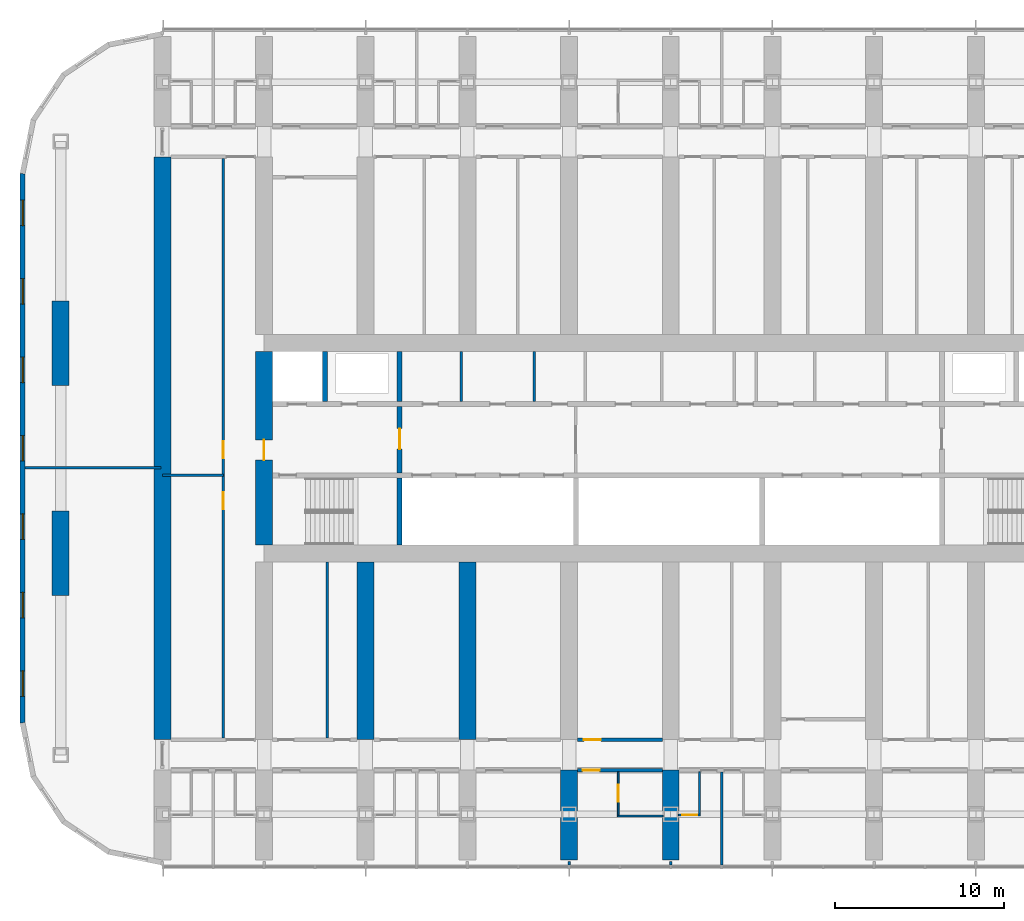
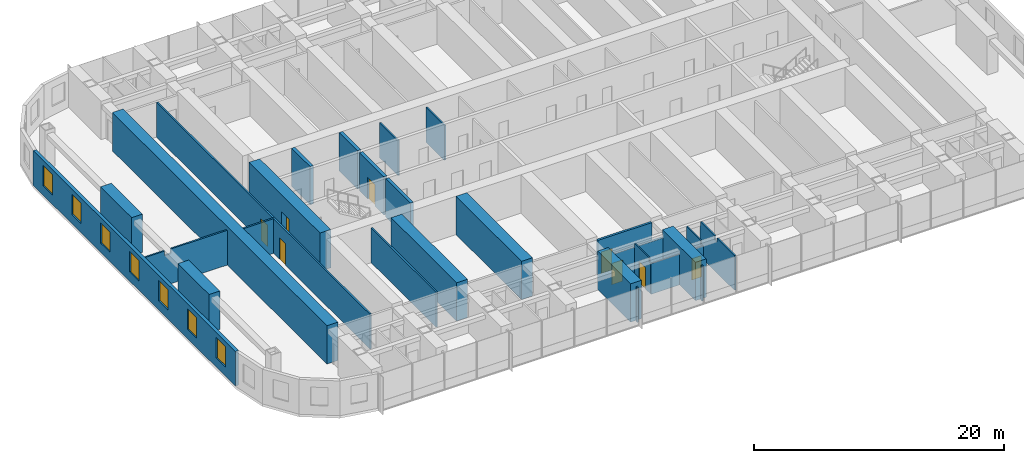
# One storey, part 11 of 23: 28 walls, 8 doors, 7 windows, 15 openings.
"""IFC4 building model written with IfcOpenShell, lengths in metres."""

from ifc_helpers import new_model, si_unit, direction, frame, frame_2d, origin, place, context, subcontext, project, spatial, polyline, rectangle, outline, extrude, material, layer, layer_set, type_object, element, fill, save


model = new_model("IFC4")

# Units and contexts
model_context = context("Model", 3, precision=1e-05, world=origin(), true_north=direction((0.0, 1.0)))
body_context = subcontext(model_context, "Body", "Model", "MODEL_VIEW")
ifc_project = project(units=[si_unit("LENGTHUNIT", "METRE"), si_unit("AREAUNIT", "SQUARE_METRE"), si_unit("VOLUMEUNIT", "CUBIC_METRE"), si_unit("PLANEANGLEUNIT", "RADIAN"), si_unit("MASSUNIT", "GRAM", prefix="KILO")], contexts=[model_context])

# Site, building, storey
site_placement = place(None, origin())
site = spatial("IfcSite", under=ifc_project, at=site_placement, CompositionType="ELEMENT")
building_placement = place(site_placement, origin())
building = spatial("IfcBuilding", under=site, at=building_placement, Name="Orbita Commons", CompositionType="ELEMENT")
storey_placement = place(building_placement, frame((0.0, 0.0, 65.199951171875)))
storey = spatial("IfcBuildingStorey", under=building, at=storey_placement, Name="L16", CompositionType="ELEMENT", Elevation=65.199951171875)

# Wall
ifc_material_1 = material(Name="Concrete C50/60", Category="concrete")
ifc_layer_1 = layer(ifc_material_1, 0.300048828125)
ifc_layer_set_1 = layer_set([ifc_layer_1], Name="Concrete C50/60")
wall_type_1 = type_object("IfcWallType", Name="Core inner wall 300 C50/60", PredefinedType="SHEAR", material=ifc_layer_set_1)
wall_1_placement = place(storey_placement, frame((26.0, 26.300048828125, 0.0), z_axis=(0.0, 0.0, 1.0), x_axis=(0.0, 1.0, 0.0)))
element("IfcWall", 1, at=wall_1_placement, inside=storey, type_object=wall_type_1, Name="Stair S1 wall L16", PredefinedType="SHEAR", context=body_context, shape_type="SweptSolid", body=[
    extrude(rectangle(XDim=3.949951171875, YDim=0.300048828125, at=frame_2d((1.97509765625, 0.0))), origin(), (0.0, 0.0, 1.0), 3.75),
])

# Wall, opening, door
wall_2_placement = place(storey_placement, frame((26.0, 30.550048828125, 0.0), z_axis=(0.0, 0.0, 1.0), x_axis=(0.0, 1.0, 0.0)))
wall_2 = element("IfcWall", 2, at=wall_2_placement, inside=storey, type_object=wall_type_1, Name="Firefighting lobby wall west L16", PredefinedType="SHEAR", context=body_context, shape_type="SweptSolid", body=[
    extrude(rectangle(XDim=3.89990234375, YDim=0.300048828125, at=frame_2d((1.949951171875, 0.0))), origin(), (0.0, 0.0, 1.0), 3.75),
])
opening_1_placement = place(wall_2_placement, frame((1.39990234375, 0.0, 0.0)))
opening_1 = element("IfcOpeningElement", 3, at=opening_1_placement, cuts=wall_2, Name="Opening D04", PredefinedType="OPENING", context=body_context, shape_type="SweptSolid", body=[
    extrude(rectangle(XDim=1.199951171875, YDim=2.10009765625, at=frame_2d((0.60009765625, 1.050048828125))), frame((0.0, 0.159912109375, 0.0), z_axis=(0.0, -1.0, 0.0), x_axis=(1.0, 0.0, 0.0)), (0.0, 0.0, 1.0), 0.320068359375),
])
ifc_material_2 = material(Name="Steel-faced fire door leaf", Category="steel")
door_type_1 = type_object("IfcDoorType", Name="Service door 20 min 1200x2100", OperationType="SINGLE_SWING_LEFT", PredefinedType="DOOR", material=ifc_material_2)
door_1_placement = place(opening_1_placement, origin())
door_1 = element("IfcDoor", 4, at=door_1_placement, inside=storey, type_object=door_type_1, Name="Lift lobby door west", OperationType="SINGLE_SWING_LEFT", OverallHeight=2.10009765625, OverallWidth=1.199951171875, PredefinedType="DOOR", context=body_context, shape_type="SweptSolid", body=[
    extrude(rectangle(XDim=1.199951171875, YDim=2.10009765625, at=frame_2d((0.60009765625, 1.050048828125))), frame((0.0, 0.02490234375, 0.0), z_axis=(0.0, -1.0, 0.0), x_axis=(1.0, 0.0, 0.0)), (0.0, 0.0, 1.0), 0.050048828125),
])
fill(opening_1, door_1)

# Walls
for number, where, z_axis, x_axis, name in (
    (5, (21.60009765625, 34.75, 0.0), (0.0, 0.0, 1.0), (0.0, 1.0, 0.0), "Firefighting lift FL1 shaft wall L16"),
    (6, (26.0, 34.75, 0.0), (0.0, 0.0, 1.0), (0.0, 1.0, 0.0), "Riser wall west L16"),
):
    element("IfcWall", number, at=place(storey_placement, frame(where, z_axis=z_axis, x_axis=x_axis)), inside=storey, type_object=wall_type_1, Name=name, PredefinedType="SHEAR", context=body_context, shape_type="SweptSolid", body=[
        extrude(rectangle(XDim=2.949951171875, YDim=0.300048828125, at=frame_2d((1.47509765625, 0.0))), origin(), (0.0, 0.0, 1.0), 3.75),
    ])
ifc_material_3 = material(Name="Concrete blockwork", Category="masonry")
ifc_layer_2 = layer(ifc_material_3, 0.14990234375)
ifc_layer_set_2 = layer_set([ifc_layer_2], Name="Concrete blockwork")
wall_type_2 = type_object("IfcWallType", Name="Core partition 150 blockwork", PredefinedType="SOLIDWALL", material=ifc_layer_set_2)
for number, where, z_axis, x_axis, name in (
    (7, (29.65087890625, 34.75, 0.0), (0.0, 0.0, 1.0), (0.0, 1.0, 0.0), "Core partition 150 blockwork L16"),
    (8, (33.9462890625, 34.75, 0.0), (0.0, 0.0, 1.0), (0.0, 1.0, 0.0), "Core partition 150 blockwork L16"),
):
    element("IfcWall", number, at=place(storey_placement, frame(where, z_axis=z_axis, x_axis=x_axis)), inside=storey, type_object=wall_type_2, Name=name, PredefinedType="SOLIDWALL", context=body_context, shape_type="SweptSolid", body=[
        extrude(rectangle(XDim=2.949951171875, YDim=0.14990234375, at=frame_2d((1.47509765625, 0.0))), origin(), (0.0, 0.0, 1.0), 3.400146484375),
    ])

# Wall, opening, door
ifc_material_4 = material(Name="Concrete C50/60", Category="concrete")
ifc_layer_3 = layer(ifc_material_4, 1.0)
ifc_layer_set_3 = layer_set([ifc_layer_3], Name="Concrete C50/60")
wall_type_3 = type_object("IfcWallType", Name="Core wall 1000 C50/60", PredefinedType="SHEAR", material=ifc_layer_set_3)
wall_3_placement = place(storey_placement, frame((18.0, 26.300048828125, 0.0), z_axis=(0.0, 0.0, 1.0), x_axis=(0.0, 1.0, 0.0)))
wall_3 = element("IfcWall", 9, at=wall_3_placement, inside=storey, type_object=wall_type_3, Name="Core end wall west L16", PredefinedType="SHEAR", context=body_context, shape_type="SweptSolid", body=[
    extrude(rectangle(XDim=11.39990234375, YDim=1.0, at=frame_2d((5.699951171875, 0.0))), origin(), (0.0, 0.0, 1.0), 3.75),
])
opening_2_placement = place(wall_3_placement, frame((5.0, 0.0, 0.0)))
opening_2 = element("IfcOpeningElement", 10, at=opening_2_placement, cuts=wall_3, Name="Opening D01", PredefinedType="OPENING", context=body_context, shape_type="SweptSolid", body=[
    extrude(rectangle(XDim=1.199951171875, YDim=2.10009765625, at=frame_2d((0.60009765625, 1.050048828125))), frame((0.0, 0.510009765625, 0.0), z_axis=(0.0, -1.0, 0.0), x_axis=(1.0, 0.0, 0.0)), (0.0, 0.0, 1.0), 1.02001953125),
])
ifc_material_5 = material(Name="Steel-faced fire door leaf", Category="steel")
door_type_2 = type_object("IfcDoorType", Name="Fire door 90 min 1200x2100", OperationType="SINGLE_SWING_LEFT", PredefinedType="DOOR", material=ifc_material_5)
door_2_placement = place(opening_2_placement, origin())
door_2 = element("IfcDoor", 11, at=door_2_placement, inside=storey, type_object=door_type_2, Name="Firefighting lobby west door", OperationType="SINGLE_SWING_LEFT", OverallHeight=2.10009765625, OverallWidth=1.199951171875, PredefinedType="DOOR", context=body_context, shape_type="SweptSolid", body=[
    extrude(rectangle(XDim=1.199951171875, YDim=2.10009765625, at=frame_2d((0.60009765625, 1.050048828125))), frame((0.0, 0.02490234375, 0.0), z_axis=(0.0, -1.0, 0.0), x_axis=(1.0, 0.0, 0.0)), (0.0, 0.0, 1.0), 0.050048828125),
])
fill(opening_2, door_2)

ifc_material_6 = material(Name="Concrete blockwork", Category="masonry")
ifc_layer_4 = layer(ifc_material_6, 0.199951171875)
ifc_layer_set_4 = layer_set([ifc_layer_4], Name="Concrete blockwork")
wall_type_4 = type_object("IfcWallType", Name="Corridor wall 200 blockwork", PredefinedType="SOLIDWALL", material=ifc_layer_set_4)
wall_4_placement = place(storey_placement, frame((36.5, 13.0, 0.0), z_axis=(0.0, 0.0, 1.0), x_axis=(1.0, 0.0, 0.0)))
wall_4 = element("IfcWall", 12, at=wall_4_placement, inside=storey, type_object=wall_type_4, Name="Corridor wall 200 blockwork L16", PredefinedType="SOLIDWALL", context=body_context, shape_type="SweptSolid", body=[
    extrude(outline(polyline([(0.0, 0.0), (5.0, 0.0), (5.0, 3.0), (0.0, 3.0), (0.0, 0.0)])), frame((0.0, 0.10009765625, 0.0), z_axis=(0.0, -1.0, 0.0), x_axis=(1.0, 0.0, 0.0)), (0.0, 0.0, 1.0), 0.199951171875),
])
opening_3_placement = place(wall_4_placement, frame((0.300048828125, 0.0, 0.0)))
opening_3 = element("IfcOpeningElement", 13, at=opening_3_placement, cuts=wall_4, Name="Opening D06", PredefinedType="OPENING", context=body_context, shape_type="SweptSolid", body=[
    extrude(rectangle(XDim=1.0, YDim=2.10009765625, at=frame_2d((0.5, 1.050048828125))), frame((0.0, 0.10986328125, 0.0), z_axis=(0.0, -1.0, 0.0), x_axis=(1.0, 0.0, 0.0)), (0.0, 0.0, 1.0), 0.219970703125),
])
ifc_material_7 = material(Name="Steel-faced fire door leaf", Category="steel")
door_type_3 = type_object("IfcDoorType", Name="Corridor door 20 min 1000x2100", OperationType="SINGLE_SWING_LEFT", PredefinedType="DOOR", material=ifc_material_7)
door_3_placement = place(opening_3_placement, origin())
door_3 = element("IfcDoor", 14, at=door_3_placement, inside=storey, type_object=door_type_3, Name="Accessible bedroom L16-S08 door", OperationType="SINGLE_SWING_LEFT", OverallHeight=2.10009765625, OverallWidth=1.0, PredefinedType="DOOR", context=body_context, shape_type="SweptSolid", body=[
    extrude(rectangle(XDim=1.0, YDim=2.10009765625, at=frame_2d((0.5, 1.050048828125))), frame((0.0, 0.02490234375, 0.0), z_axis=(0.0, -1.0, 0.0), x_axis=(1.0, 0.0, 0.0)), (0.0, 0.0, 1.0), 0.050048828125),
])
fill(opening_3, door_3)

ifc_material_8 = material(Name="Hollow concrete block 200", Category="concrete")
ifc_layer_5 = layer(ifc_material_8, 0.199951171875)
ifc_layer_set_5 = layer_set([ifc_layer_5], Name="Hollow concrete block 200")
wall_type_5 = type_object("IfcWallType", Name="Corridor wall 200 hollow concrete block", PredefinedType="SOLIDWALL", material=ifc_layer_set_5)
wall_5_placement = place(storey_placement, frame((36.5, 14.800048828125, 0.0), z_axis=(0.0, 0.0, 1.0), x_axis=(1.0, 0.0, 0.0)))
wall_5 = element("IfcWall", 15, at=wall_5_placement, inside=storey, type_object=wall_type_5, Name="Corridor wall 200 hollow concrete block L16", PredefinedType="SOLIDWALL", context=body_context, shape_type="SweptSolid", body=[
    extrude(rectangle(XDim=5.0, YDim=0.199951171875, at=frame_2d((2.5, 0.0))), origin(), (0.0, 0.0, 1.0), 3.400146484375),
])
opening_4_placement = place(wall_5_placement, frame((0.375, 0.0, 0.0)))
opening_4 = element("IfcOpeningElement", 16, at=opening_4_placement, cuts=wall_5, Name="Opening D06", PredefinedType="OPENING", context=body_context, shape_type="SweptSolid", body=[
    extrude(rectangle(XDim=1.0, YDim=2.10009765625, at=frame_2d((0.5, 1.050048828125))), frame((0.0, 0.10986328125, 0.0), z_axis=(0.0, -1.0, 0.0), x_axis=(1.0, 0.0, 0.0)), (0.0, 0.0, 1.0), 0.219970703125),
])
door_4_placement = place(opening_4_placement, origin())
door_4 = element("IfcDoor", 17, at=door_4_placement, inside=storey, type_object=door_type_3, Name="Parcel and post room L16-BDS36 door", OperationType="SINGLE_SWING_LEFT", OverallHeight=2.10009765625, OverallWidth=1.0, PredefinedType="DOOR", context=body_context, shape_type="SweptSolid", body=[
    extrude(rectangle(XDim=1.0, YDim=2.10009765625, at=frame_2d((0.5, 1.050048828125))), frame((0.0, 0.02490234375, 0.0), z_axis=(0.0, -1.0, 0.0), x_axis=(1.0, 0.0, 0.0)), (0.0, 0.0, 1.0), 0.050048828125),
])
fill(opening_4, door_4)

# Walls
ifc_material_9 = material(Name="Concrete C50/60", Category="concrete")
ifc_layer_6 = layer(ifc_material_9, 1.0)
ifc_layer_set_6 = layer_set([ifc_layer_6], Name="Concrete C50/60")
wall_type_6 = type_object("IfcWallType", Name="Cross wall 1000 C50/60", PredefinedType="SHEAR", material=ifc_layer_set_6)
wall_6_placement = place(storey_placement, frame((12.0, 14.800048828125, 0.0), z_axis=(0.0, 0.0, 1.0), x_axis=(0.0, 1.0, 0.0)))
element("IfcWall", 18, at=wall_6_placement, inside=storey, type_object=wall_type_6, Name="Cross wall 3 inner L16", PredefinedType="SHEAR", context=body_context, shape_type="SweptSolid", body=[
    extrude(rectangle(XDim=34.39990234375, YDim=1.0, at=frame_2d((17.199951171875, 0.0))), origin(), (0.0, 0.0, 1.0), 3.75),
])
for number, where, z_axis, x_axis, name in (
    (19, (24.0, 14.800048828125, 0.0), (0.0, 0.0, 1.0), (0.0, 1.0, 0.0), "Cross wall 5 south inner L16"),
    (20, (30.0, 14.800048828125, 0.0), (0.0, 0.0, 1.0), (0.0, 1.0, 0.0), "Cross wall 6 south inner L16"),
):
    element("IfcWall", number, at=place(storey_placement, frame(where, z_axis=z_axis, x_axis=x_axis)), inside=storey, type_object=wall_type_6, Name=name, PredefinedType="SHEAR", context=body_context, shape_type="SweptSolid", body=[
        extrude(rectangle(XDim=10.5, YDim=1.0, at=frame_2d((5.25, 0.0))), origin(), (0.0, 0.0, 1.0), 3.75),
    ])
for number, where, z_axis, x_axis, name in (
    (21, (36.0, 7.699951171875, 0.0), (0.0, 0.0, 1.0), (0.0, 1.0, 0.0), "Cross wall 7 south outer L16"),
    (22, (42.0, 7.699951171875, 0.0), (0.0, 0.0, 1.0), (0.0, 1.0, 0.0), "Cross wall 8 south outer L16"),
):
    element("IfcWall", number, at=place(storey_placement, frame(where, z_axis=z_axis, x_axis=x_axis)), inside=storey, type_object=wall_type_6, Name=name, PredefinedType="SHEAR", context=body_context, shape_type="SweptSolid", body=[
        extrude(rectangle(XDim=5.300048828125, YDim=1.0, at=frame_2d((2.64990234375, 0.0))), origin(), (0.0, 0.0, 1.0), 3.75),
    ])
ifc_material_10 = material(Name="Moisture-resistant plasterboard on steel studs", Category="steel")
ifc_layer_7 = layer(ifc_material_10, 0.10009765625)
ifc_layer_set_7 = layer_set([ifc_layer_7], Name="Moisture-resistant plasterboard on steel studs")
wall_type_7 = type_object("IfcWallType", Name="En-suite partition 100", PredefinedType="PARTITIONING", material=ifc_layer_set_7)
wall_7_placement = place(storey_placement, frame((38.85009765625, 10.300048828125, 0.0), z_axis=(0.0, 0.0, 1.0), x_axis=(1.0, 0.0, 0.0)))
element("IfcWall", 23, at=wall_7_placement, inside=storey, type_object=wall_type_7, Name="En-suite partition 100 L16", PredefinedType="PARTITIONING", context=body_context, shape_type="SweptSolid", body=[
    extrude(outline(polyline([(0.0, 0.0), (2.699951171875, 0.0), (2.699951171875, 3.0), (0.0, 3.0), (0.0, 0.0)])), frame((0.0, 0.050048828125, 0.0), z_axis=(0.0, -1.0, 0.0), x_axis=(1.0, 0.0, 0.0)), (0.0, 0.0, 1.0), 0.10009765625),
])

# Wall, opening, door
wall_8_placement = place(storey_placement, frame((38.89990234375, 10.35009765625, 0.0), z_axis=(0.0, 0.0, 1.0), x_axis=(0.0, 1.0, 0.0)))
wall_8 = element("IfcWall", 24, at=wall_8_placement, inside=storey, type_object=wall_type_7, Name="En-suite partition 100 L16", PredefinedType="PARTITIONING", context=body_context, shape_type="SweptSolid", body=[
    extrude(outline(polyline([(0.0, 0.0), (2.5498046875, 0.0), (2.550048828125, 3.0), (2.501953125, 3.0), (2.5, 3.400146484375), (0.251953125, 3.400146484375), (0.25, 3.0), (0.0, 3.0), (0.0, 0.0)])), frame((0.0, 0.050048828125, 0.0), z_axis=(0.0, -1.0, 0.0), x_axis=(1.0, 0.0, 0.0)), (0.0, 0.0, 1.0), 0.10009765625),
])
opening_5_placement = place(wall_8_placement, frame((0.800048828125, 0.0, 0.0)))
opening_5 = element("IfcOpeningElement", 25, at=opening_5_placement, cuts=wall_8, Name="Opening D13", PredefinedType="OPENING", context=body_context, shape_type="SweptSolid", body=[
    extrude(rectangle(XDim=1.0, YDim=2.10009765625, at=frame_2d((0.5, 1.050048828125))), frame((0.0, 0.06005859375, 0.0), z_axis=(0.0, -1.0, 0.0), x_axis=(1.0, 0.0, 0.0)), (0.0, 0.0, 1.0), 0.1201171875),
])
ifc_material_11 = material(Name="Laminated timber door leaf", Category="wood")
door_type_4 = type_object("IfcDoorType", Name="En-suite door 1000x2100", OperationType="SINGLE_SWING_RIGHT", PredefinedType="DOOR", material=ifc_material_11)
door_5_placement = place(opening_5_placement, origin())
door_5 = element("IfcDoor", 26, at=door_5_placement, inside=storey, type_object=door_type_4, Name="Accessible shower room L16-S08 door", OperationType="SINGLE_SWING_RIGHT", OverallHeight=2.10009765625, OverallWidth=1.0, PredefinedType="DOOR", context=body_context, shape_type="SweptSolid", body=[
    extrude(rectangle(XDim=1.0, YDim=2.10009765625, at=frame_2d((0.5, 1.050048828125))), frame((0.0, 0.02490234375, 0.0), z_axis=(0.0, -1.0, 0.0), x_axis=(1.0, 0.0, 0.0)), (0.0, 0.0, 1.0), 0.050048828125),
])
fill(opening_5, door_5)

wall_9_placement = place(storey_placement, frame((43.75, 10.3583984375, 0.0), z_axis=(0.0, 0.0, 1.0), x_axis=(-1.0, 0.0, 0.0)))
wall_9 = element("IfcWall", 27, at=wall_9_placement, inside=storey, type_object=wall_type_7, Name="En-suite partition 100 L16", PredefinedType="PARTITIONING", context=body_context, shape_type="SweptSolid", body=[
    extrude(outline(polyline([(0.0, 0.0), (1.300048828125, 0.0), (1.300048828125, 3.0), (0.0, 3.0), (0.0, 0.0)])), frame((0.0, 0.050048828125, 0.0), z_axis=(0.0, -1.0, 0.0), x_axis=(1.0, 0.0, 0.0)), (0.0, 0.0, 1.0), 0.10009765625),
])
opening_6_placement = place(wall_9_placement, frame((0.175048828125, 0.0, 0.0)))
opening_6 = element("IfcOpeningElement", 28, at=opening_6_placement, cuts=wall_9, Name="Opening D09", PredefinedType="OPENING", context=body_context, shape_type="SweptSolid", body=[
    extrude(rectangle(XDim=0.89990234375, YDim=2.10009765625, at=frame_2d((0.449951171875, 1.050048828125))), frame((0.0, 0.06005859375, 0.0), z_axis=(0.0, -1.0, 0.0), x_axis=(1.0, 0.0, 0.0)), (0.0, 0.0, 1.0), 0.1201171875),
])
ifc_material_12 = material(Name="Laminated timber door leaf", Category="wood")
door_type_5 = type_object("IfcDoorType", Name="En-suite door 900x2100", OperationType="SINGLE_SWING_RIGHT", PredefinedType="DOOR", material=ifc_material_12)
door_6_placement = place(opening_6_placement, origin())
door_6 = element("IfcDoor", 29, at=door_6_placement, inside=storey, type_object=door_type_5, Name="En-suite L16-S10 door", OperationType="SINGLE_SWING_RIGHT", OverallHeight=2.10009765625, OverallWidth=0.89990234375, PredefinedType="DOOR", context=body_context, shape_type="SweptSolid", body=[
    extrude(rectangle(XDim=0.89990234375, YDim=2.10009765625, at=frame_2d((0.449951171875, 1.050048828125))), frame((0.0, 0.02490234375, 0.0), z_axis=(0.0, -1.0, 0.0), x_axis=(1.0, 0.0, 0.0)), (0.0, 0.0, 1.0), 0.050048828125),
])
fill(opening_6, door_6)

# Walls
wall_10_placement = place(storey_placement, frame((43.699951171875, 10.408203125, 0.0), z_axis=(0.0, 0.0, 1.0), x_axis=(0.0, 1.0, 0.0)))
element("IfcWall", 30, at=wall_10_placement, inside=storey, type_object=wall_type_7, Name="En-suite partition 100 L16", PredefinedType="PARTITIONING", context=body_context, shape_type="SweptSolid", body=[
    extrude(outline(polyline([(0.0, 0.0), (2.49169921875, 0.0), (2.49169921875, 3.0), (2.443603515625, 3.0), (2.441650390625, 3.400146484375), (0.193603515625, 3.400146484375), (0.191650390625, 3.0), (0.0, 3.0), (0.0, 0.0)])), frame((0.0, 0.050048828125, 0.0), z_axis=(0.0, -1.0, 0.0), x_axis=(1.0, 0.0, 0.0)), (0.0, 0.0, 1.0), 0.10009765625),
])
ifc_material_13 = material(Name="Concrete C50/60", Category="concrete")
ifc_layer_8 = layer(ifc_material_13, 1.0)
ifc_layer_set_8 = layer_set([ifc_layer_8], Name="Concrete C50/60")
wall_type_8 = type_object("IfcWallType", Name="End pier 1000x5000 C50/60", PredefinedType="SHEAR", material=ifc_layer_set_8)
for number, where, z_axis, x_axis, name in (
    (31, (6.0, 23.300048828125, 0.0), (0.0, 0.0, 1.0), (0.0, 1.0, 0.0), "End pier 2/C L16"),
    (32, (6.0, 35.699951171875, 0.0), (0.0, 0.0, 1.0), (0.0, 1.0, 0.0), "End pier 2/D L16"),
):
    element("IfcWall", number, at=place(storey_placement, frame(where, z_axis=z_axis, x_axis=x_axis)), inside=storey, type_object=wall_type_8, Name=name, PredefinedType="SHEAR", context=body_context, shape_type="SweptSolid", body=[
        extrude(rectangle(XDim=5.0, YDim=1.0, at=frame_2d((2.5, 0.0))), origin(), (0.0, 0.0, 1.0), 3.75),
    ])
ifc_material_14 = material(Name="Gypsum plasterboard on steel studs", Category="steel")
ifc_layer_9 = layer(ifc_material_14, 0.14990234375)
ifc_layer_set_9 = layer_set([ifc_layer_9], Name="Gypsum plasterboard on steel studs")
wall_type_9 = type_object("IfcWallType", Name="Partition 150 plasterboard", PredefinedType="PARTITIONING", material=ifc_layer_set_9)
wall_11_placement = place(storey_placement, frame((21.72509765625, 14.89990234375, 0.0), z_axis=(0.0, 0.0, 1.0), x_axis=(0.0, 1.0, 0.0)))
element("IfcWall", 33, at=wall_11_placement, inside=storey, type_object=wall_type_9, Name="Partition 150 plasterboard L16", PredefinedType="PARTITIONING", context=body_context, shape_type="SweptSolid", body=[
    extrude(rectangle(XDim=10.400146484375, YDim=0.14990234375, at=frame_2d((5.2001953125, 0.0))), origin(), (0.0, 0.0, 1.0), 3.400146484375),
])

# Wall, openings, doors
wall_12_placement = place(storey_placement, frame((15.60009765625, 14.89990234375, 0.0), z_axis=(0.0, 0.0, 1.0), x_axis=(0.0, 1.0, 0.0)))
wall_12 = element("IfcWall", 34, at=wall_12_placement, inside=storey, type_object=wall_type_9, Name="Partition 150 plasterboard L16", PredefinedType="PARTITIONING", context=body_context, shape_type="SweptSolid", body=[
    extrude(rectangle(XDim=34.2001953125, YDim=0.14990234375, at=frame_2d((17.10009765625, 0.0))), origin(), (0.0, 0.0, 1.0), 3.400146484375),
])
opening_7_placement = place(wall_12_placement, frame((13.5, 0.0, 0.0)))
opening_7 = element("IfcOpeningElement", 35, at=opening_7_placement, cuts=wall_12, Name="Opening D06", PredefinedType="OPENING", context=body_context, shape_type="SweptSolid", body=[
    extrude(rectangle(XDim=1.0, YDim=2.10009765625, at=frame_2d((0.5, 1.050048828125))), frame((0.0, 0.0849609375, 0.0), z_axis=(0.0, -1.0, 0.0), x_axis=(1.0, 0.0, 0.0)), (0.0, 0.0, 1.0), 0.169921875),
])
opening_8_placement = place(wall_12_placement, frame((16.5, 0.0, 0.0)))
opening_8 = element("IfcOpeningElement", 36, at=opening_8_placement, cuts=wall_12, Name="Opening D06", PredefinedType="OPENING", context=body_context, shape_type="SweptSolid", body=[
    extrude(rectangle(XDim=1.0, YDim=2.10009765625, at=frame_2d((0.5, 1.050048828125))), frame((0.0, 0.0849609375, 0.0), z_axis=(0.0, -1.0, 0.0), x_axis=(1.0, 0.0, 0.0)), (0.0, 0.0, 1.0), 0.169921875),
])
door_7_placement = place(opening_7_placement, origin())
door_7 = element("IfcDoor", 37, at=door_7_placement, inside=storey, type_object=door_type_3, Name="Interview room door", OperationType="SINGLE_SWING_LEFT", OverallHeight=2.10009765625, OverallWidth=1.0, PredefinedType="DOOR", context=body_context, shape_type="SweptSolid", body=[
    extrude(rectangle(XDim=1.0, YDim=2.10009765625, at=frame_2d((0.5, 1.050048828125))), frame((0.0, 0.02490234375, 0.0), z_axis=(0.0, -1.0, 0.0), x_axis=(1.0, 0.0, 0.0)), (0.0, 0.0, 1.0), 0.050048828125),
])
fill(opening_7, door_7)
door_8_placement = place(opening_8_placement, origin())
door_8 = element("IfcDoor", 38, at=door_8_placement, inside=storey, type_object=door_type_3, Name="Residents' storage room door", OperationType="SINGLE_SWING_LEFT", OverallHeight=2.10009765625, OverallWidth=1.0, PredefinedType="DOOR", context=body_context, shape_type="SweptSolid", body=[
    extrude(rectangle(XDim=1.0, YDim=2.10009765625, at=frame_2d((0.5, 1.050048828125))), frame((0.0, 0.02490234375, 0.0), z_axis=(0.0, -1.0, 0.0), x_axis=(1.0, 0.0, 0.0)), (0.0, 0.0, 1.0), 0.050048828125),
])
fill(opening_8, door_8)

# Walls
wall_13_placement = place(storey_placement, frame((12.0, 30.39990234375, 0.0), z_axis=(0.0, 0.0, 1.0), x_axis=(1.0, 0.0, 0.0)))
element("IfcWall", 39, at=wall_13_placement, inside=storey, type_object=wall_type_9, Name="Partition 150 plasterboard L16", PredefinedType="PARTITIONING", context=body_context, shape_type="SweptSolid", body=[
    extrude(rectangle(XDim=3.60009765625, YDim=0.14990234375, at=frame_2d((1.800048828125, 0.0))), origin(), (0.0, 0.0, 1.0), 3.400146484375),
])
wall_14_placement = place(storey_placement, frame((3.905029296875, 30.85009765625, 0.0), z_axis=(0.0, 0.0, 1.0), x_axis=(1.0, 0.0, 0.0)))
element("IfcWall", 40, at=wall_14_placement, inside=storey, type_object=wall_type_9, Name="Partition 150 plasterboard L16", PredefinedType="PARTITIONING", context=body_context, shape_type="SweptSolid", body=[
    extrude(outline(polyline([(0.0, 0.0), (8.02001953125, 0.0), (8.02001953125, 3.400146484375), (2.39697265625, 3.400146484375), (2.39501953125, 2.949951171875), (1.797119140625, 2.949951171875), (1.794921875, 3.400146484375), (0.0, 3.400146484375), (0.0, 0.0)])), frame((0.0, 0.074951171875, 0.0), z_axis=(0.0, -1.0, 0.0), x_axis=(1.0, 0.0, 0.0)), (0.0, 0.0, 1.0), 0.14990234375),
])
for number, where, z_axis, x_axis, name in (
    (41, (36.0, 7.60009765625, 0.0), (0.0, 0.0, 1.0), (0.0, -1.0, 0.0), "Partition 150 plasterboard L16"),
    (42, (42.0, 7.60009765625, 0.0), (0.0, 0.0, 1.0), (0.0, -1.0, 0.0), "Partition 150 plasterboard L16"),
):
    element("IfcWall", number, at=place(storey_placement, frame(where, z_axis=z_axis, x_axis=x_axis)), inside=storey, type_object=wall_type_9, Name=name, PredefinedType="PARTITIONING", context=body_context, shape_type="SweptSolid", body=[
        extrude(rectangle(XDim=0.190185546875, YDim=0.14990234375, at=frame_2d((0.09521484375, 0.0))), origin(), (0.0, 0.0, 1.0), 3.400146484375),
    ])
ifc_material_15 = material(Name="Gypsum plasterboard on steel studs", Category="steel")
ifc_layer_10 = layer(ifc_material_15, 0.14990234375)
ifc_layer_set_10 = layer_set([ifc_layer_10], Name="Gypsum plasterboard on steel studs")
wall_type_10 = type_object("IfcWallType", Name="Party wall 150 plasterboard", PredefinedType="PARTITIONING", material=ifc_layer_set_10)
wall_15_placement = place(storey_placement, frame((45.0, 7.409912109375, 0.0), z_axis=(0.0, 0.0, 1.0), x_axis=(0.0, 1.0, 0.0)))
element("IfcWall", 43, at=wall_15_placement, inside=storey, type_object=wall_type_10, Name="Party wall 150 plasterboard L16", PredefinedType="PARTITIONING", context=body_context, shape_type="SweptSolid", body=[
    extrude(outline(polyline([(0.0, 0.0), (5.489990234375, 0.0), (5.489990234375, 3.0), (5.44189453125, 3.0), (5.43994140625, 3.400146484375), (3.19189453125, 3.400146484375), (3.18994140625, 3.0), (2.7919921875, 3.0), (2.7900390625, 3.400146484375), (0.0, 3.400146484375), (0.0, 0.0)])), frame((0.0, 0.074951171875, 0.0), z_axis=(0.0, -1.0, 0.0), x_axis=(1.0, 0.0, 0.0)), (0.0, 0.0, 1.0), 0.14990234375),
])

# Wall, openings, windows
ifc_material_16 = material(Name="Precast concrete C40/50, white board-marked finish", Category="concrete")
ifc_layer_11 = layer(ifc_material_16, 0.300048828125)
ifc_layer_set_11 = layer_set([ifc_layer_11], Name="Precast concrete C40/50, white board-marked finish")
wall_type_11 = type_object("IfcWallType", Name="Precast concrete end shield 300", PredefinedType="SOLIDWALL", material=ifc_layer_set_11)
wall_16_placement = place(storey_placement, frame((3.75, 48.199951171875, 0.0), z_axis=(0.0, 0.0, 1.0), x_axis=(0.0, -1.0, 0.0)))
wall_16 = element("IfcWall", 44, at=wall_16_placement, inside=storey, type_object=wall_type_11, Name="End shield W L16", PredefinedType="SOLIDWALL", context=body_context, shape_type="SweptSolid", body=[
    extrude(outline(polyline([(-0.014892578125, -0.14990234375), (32.414794921875, -0.14990234375), (32.385009765625, 0.14990234375), (0.014892578125, 0.14990234375), (-0.014892578125, -0.14990234375)])), origin(), (0.0, 0.0, 1.0), 3.400146484375),
])
opening_9_placement = place(wall_16_placement, frame((1.564208984375, 0.0, 0.89990234375)))
opening_9 = element("IfcOpeningElement", 45, at=opening_9_placement, cuts=wall_16, Name="Opening W01", PredefinedType="OPENING", context=body_context, shape_type="SweptSolid", body=[
    extrude(rectangle(XDim=1.5, YDim=2.0, at=frame_2d((0.75, 1.0))), frame((0.0, 0.159912109375, 0.0), z_axis=(0.0, -1.0, 0.0), x_axis=(1.0, 0.0, 0.0)), (0.0, 0.0, 1.0), 0.320068359375),
])
opening_10_placement = place(wall_16_placement, frame((6.19287109375, 0.0, 0.89990234375)))
opening_10 = element("IfcOpeningElement", 46, at=opening_10_placement, cuts=wall_16, Name="Opening W01", PredefinedType="OPENING", context=body_context, shape_type="SweptSolid", body=[
    extrude(rectangle(XDim=1.5, YDim=2.0, at=frame_2d((0.75, 1.0))), frame((0.0, 0.159912109375, 0.0), z_axis=(0.0, -1.0, 0.0), x_axis=(1.0, 0.0, 0.0)), (0.0, 0.0, 1.0), 0.320068359375),
])
opening_11_placement = place(wall_16_placement, frame((10.821533203125, 0.0, 0.89990234375)))
opening_11 = element("IfcOpeningElement", 47, at=opening_11_placement, cuts=wall_16, Name="Opening W01", PredefinedType="OPENING", context=body_context, shape_type="SweptSolid", body=[
    extrude(rectangle(XDim=1.5, YDim=2.0, at=frame_2d((0.75, 1.0))), frame((0.0, 0.159912109375, 0.0), z_axis=(0.0, -1.0, 0.0), x_axis=(1.0, 0.0, 0.0)), (0.0, 0.0, 1.0), 0.320068359375),
])
opening_12_placement = place(wall_16_placement, frame((15.449951171875, 0.0, 0.89990234375)))
opening_12 = element("IfcOpeningElement", 48, at=opening_12_placement, cuts=wall_16, Name="Opening W01", PredefinedType="OPENING", context=body_context, shape_type="SweptSolid", body=[
    extrude(rectangle(XDim=1.5, YDim=2.0, at=frame_2d((0.75, 1.0))), frame((0.0, 0.159912109375, 0.0), z_axis=(0.0, -1.0, 0.0), x_axis=(1.0, 0.0, 0.0)), (0.0, 0.0, 1.0), 0.320068359375),
])
opening_13_placement = place(wall_16_placement, frame((20.07861328125, 0.0, 0.89990234375)))
opening_13 = element("IfcOpeningElement", 49, at=opening_13_placement, cuts=wall_16, Name="Opening W01", PredefinedType="OPENING", context=body_context, shape_type="SweptSolid", body=[
    extrude(rectangle(XDim=1.5, YDim=2.0, at=frame_2d((0.75, 1.0))), frame((0.0, 0.159912109375, 0.0), z_axis=(0.0, -1.0, 0.0), x_axis=(1.0, 0.0, 0.0)), (0.0, 0.0, 1.0), 0.320068359375),
])
opening_14_placement = place(wall_16_placement, frame((24.70703125, 0.0, 0.89990234375)))
opening_14 = element("IfcOpeningElement", 50, at=opening_14_placement, cuts=wall_16, Name="Opening W01", PredefinedType="OPENING", context=body_context, shape_type="SweptSolid", body=[
    extrude(rectangle(XDim=1.5, YDim=2.0, at=frame_2d((0.75, 1.0))), frame((0.0, 0.159912109375, 0.0), z_axis=(0.0, -1.0, 0.0), x_axis=(1.0, 0.0, 0.0)), (0.0, 0.0, 1.0), 0.320068359375),
])
opening_15_placement = place(wall_16_placement, frame((29.335693359375, 0.0, 0.89990234375)))
opening_15 = element("IfcOpeningElement", 51, at=opening_15_placement, cuts=wall_16, Name="Opening W01", PredefinedType="OPENING", context=body_context, shape_type="SweptSolid", body=[
    extrude(rectangle(XDim=1.5, YDim=2.0, at=frame_2d((0.75, 1.0))), frame((0.0, 0.159912109375, 0.0), z_axis=(0.0, -1.0, 0.0), x_axis=(1.0, 0.0, 0.0)), (0.0, 0.0, 1.0), 0.320068359375),
])
ifc_material_17 = material(Name="Aluminium frame, clear double glazing", Category="aluminium")
window_type = type_object("IfcWindowType", Name="Deep-set window 1500x2000", PartitioningType="SINGLE_PANEL", PredefinedType="WINDOW", material=ifc_material_17)
window_1_placement = place(opening_9_placement, origin())
window_1 = element("IfcWindow", 52, at=window_1_placement, inside=storey, type_object=window_type, Name="Window L16-W 1", OverallHeight=2.0, OverallWidth=1.5, PartitioningType="SINGLE_PANEL", PredefinedType="WINDOW", context=body_context, shape_type="SweptSolid", body=[
    extrude(rectangle(XDim=1.5, YDim=2.0, at=frame_2d((0.75, 1.0))), frame((0.0, 0.030029296875, 0.0), z_axis=(0.0, -1.0, 0.0), x_axis=(1.0, 0.0, 0.0)), (0.0, 0.0, 1.0), 0.06005859375),
])
fill(opening_9, window_1)
window_2_placement = place(opening_10_placement, origin())
window_2 = element("IfcWindow", 53, at=window_2_placement, inside=storey, type_object=window_type, Name="Window L16-W 2", OverallHeight=2.0, OverallWidth=1.5, PartitioningType="SINGLE_PANEL", PredefinedType="WINDOW", context=body_context, shape_type="SweptSolid", body=[
    extrude(rectangle(XDim=1.5, YDim=2.0, at=frame_2d((0.75, 1.0))), frame((0.0, 0.030029296875, 0.0), z_axis=(0.0, -1.0, 0.0), x_axis=(1.0, 0.0, 0.0)), (0.0, 0.0, 1.0), 0.06005859375),
])
fill(opening_10, window_2)
window_3_placement = place(opening_11_placement, origin())
window_3 = element("IfcWindow", 54, at=window_3_placement, inside=storey, type_object=window_type, Name="Window L16-W 3", OverallHeight=2.0, OverallWidth=1.5, PartitioningType="SINGLE_PANEL", PredefinedType="WINDOW", context=body_context, shape_type="SweptSolid", body=[
    extrude(rectangle(XDim=1.5, YDim=2.0, at=frame_2d((0.75, 1.0))), frame((0.0, 0.030029296875, 0.0), z_axis=(0.0, -1.0, 0.0), x_axis=(1.0, 0.0, 0.0)), (0.0, 0.0, 1.0), 0.06005859375),
])
fill(opening_11, window_3)
window_4_placement = place(opening_12_placement, origin())
window_4 = element("IfcWindow", 55, at=window_4_placement, inside=storey, type_object=window_type, Name="Window L16-W 4", OverallHeight=2.0, OverallWidth=1.5, PartitioningType="SINGLE_PANEL", PredefinedType="WINDOW", context=body_context, shape_type="SweptSolid", body=[
    extrude(rectangle(XDim=1.5, YDim=2.0, at=frame_2d((0.75, 1.0))), frame((0.0, 0.030029296875, 0.0), z_axis=(0.0, -1.0, 0.0), x_axis=(1.0, 0.0, 0.0)), (0.0, 0.0, 1.0), 0.06005859375),
])
fill(opening_12, window_4)
window_5_placement = place(opening_13_placement, origin())
window_5 = element("IfcWindow", 56, at=window_5_placement, inside=storey, type_object=window_type, Name="Window L16-W 5", OverallHeight=2.0, OverallWidth=1.5, PartitioningType="SINGLE_PANEL", PredefinedType="WINDOW", context=body_context, shape_type="SweptSolid", body=[
    extrude(rectangle(XDim=1.5, YDim=2.0, at=frame_2d((0.75, 1.0))), frame((0.0, 0.030029296875, 0.0), z_axis=(0.0, -1.0, 0.0), x_axis=(1.0, 0.0, 0.0)), (0.0, 0.0, 1.0), 0.06005859375),
])
fill(opening_13, window_5)
window_6_placement = place(opening_14_placement, origin())
window_6 = element("IfcWindow", 57, at=window_6_placement, inside=storey, type_object=window_type, Name="Window L16-W 6", OverallHeight=2.0, OverallWidth=1.5, PartitioningType="SINGLE_PANEL", PredefinedType="WINDOW", context=body_context, shape_type="SweptSolid", body=[
    extrude(rectangle(XDim=1.5, YDim=2.0, at=frame_2d((0.75, 1.0))), frame((0.0, 0.030029296875, 0.0), z_axis=(0.0, -1.0, 0.0), x_axis=(1.0, 0.0, 0.0)), (0.0, 0.0, 1.0), 0.06005859375),
])
fill(opening_14, window_6)
window_7_placement = place(opening_15_placement, origin())
window_7 = element("IfcWindow", 58, at=window_7_placement, inside=storey, type_object=window_type, Name="Window L16-W 7", OverallHeight=2.0, OverallWidth=1.5, PartitioningType="SINGLE_PANEL", PredefinedType="WINDOW", context=body_context, shape_type="SweptSolid", body=[
    extrude(rectangle(XDim=1.5, YDim=2.0, at=frame_2d((0.75, 1.0))), frame((0.0, 0.030029296875, 0.0), z_axis=(0.0, -1.0, 0.0), x_axis=(1.0, 0.0, 0.0)), (0.0, 0.0, 1.0), 0.06005859375),
])
fill(opening_15, window_7)

save(model, "model.ifc")
